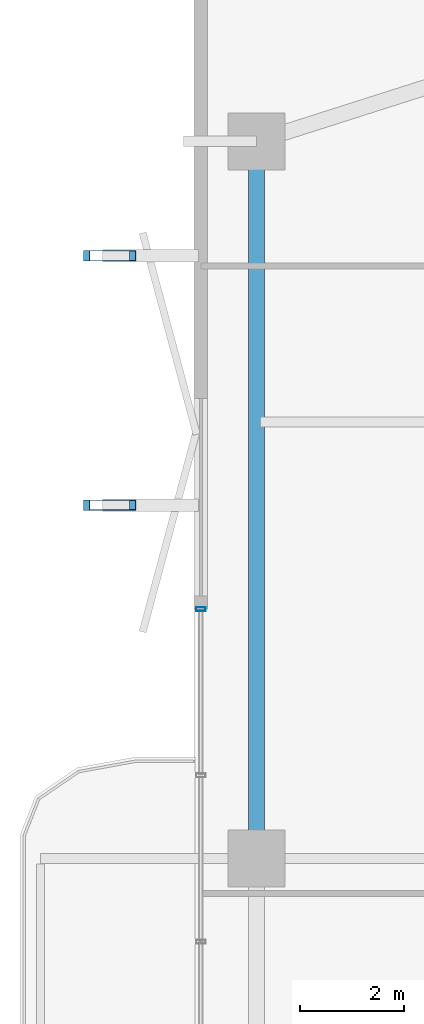
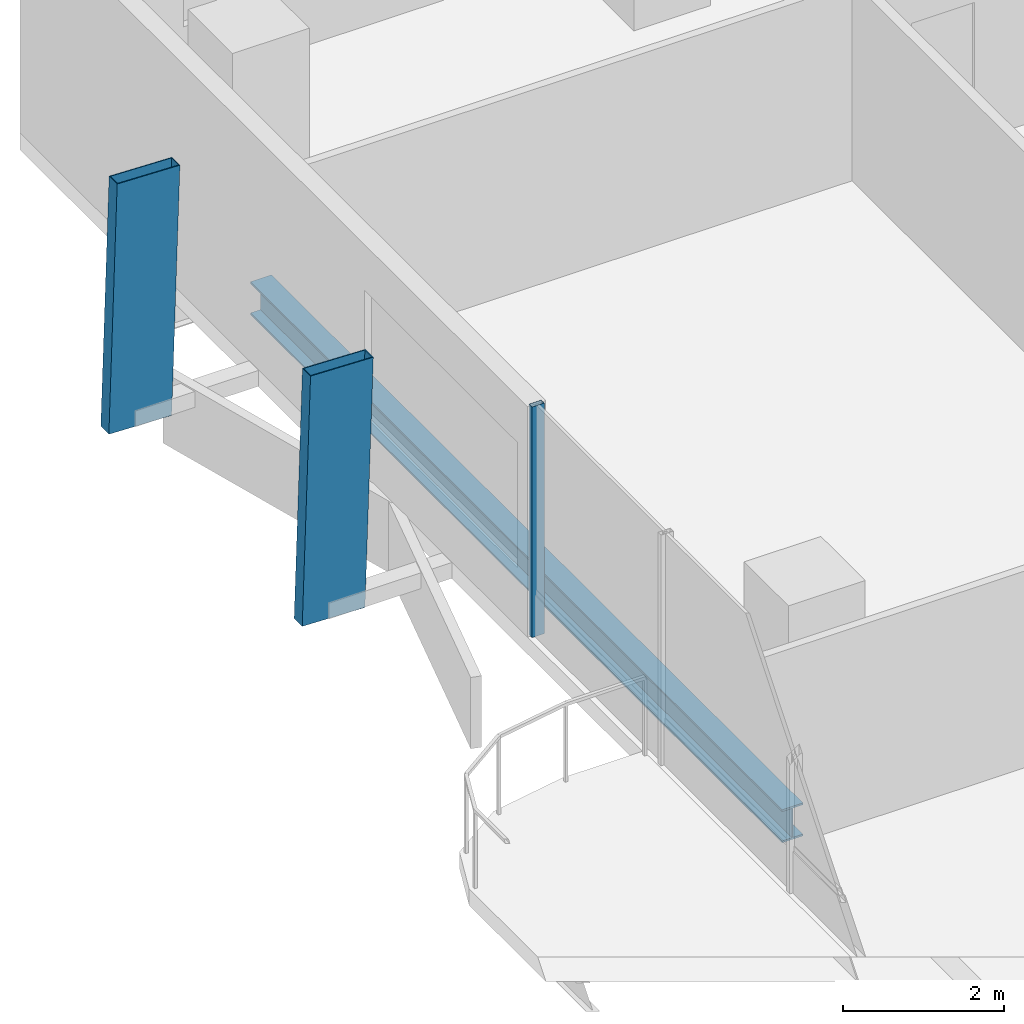
# One storey, part 11 of 24: 3 members, 1 beam, 1 element without a shape of its own.
"""IFC4 building model written with IfcOpenShell, lengths in metres."""

from ifc_helpers import new_model, si_unit, direction, frame, origin, origin_2d, place, context, subcontext, project, spatial, hollow_rectangle, i_section, extrude, material, layer, layer_set, material_profile, profile_set, type_object, element, aggregate, save


model = new_model("IFC4")

# Units and contexts
model_context = context("Model", 3, precision=1e-05, world=origin(), true_north=direction((0.0, 1.0)))
body_context = subcontext(model_context, "Body", "Model", "MODEL_VIEW")
ifc_project = project(units=[si_unit("LENGTHUNIT", "METRE"), si_unit("AREAUNIT", "SQUARE_METRE"), si_unit("VOLUMEUNIT", "CUBIC_METRE"), si_unit("PLANEANGLEUNIT", "RADIAN"), si_unit("MASSUNIT", "GRAM", prefix="KILO")], contexts=[model_context])

# Site, building, storey
site_placement = place(None, origin())
site = spatial("IfcSite", under=ifc_project, at=site_placement, CompositionType="ELEMENT")
building_placement = place(site_placement, origin())
building = spatial("IfcBuilding", under=site, at=building_placement, Name="Belovzor Exchange Tower", CompositionType="ELEMENT")
storey_placement = place(building_placement, frame((0.0, 0.0, 145.800048828125)))
storey = spatial("IfcBuildingStorey", under=building, at=storey_placement, Name="L35", CompositionType="ELEMENT", Elevation=145.800048828125)

# Members
ifc_material_1 = material(Name="Extruded Architectural Terracotta on Steel S355 Carrier", Category="masonry")
ifc_material_profile_1 = material_profile(ifc_material_1, hollow_rectangle(XDim=0.199951171875, YDim=0.89990234375, WallThickness=0.011962890625, at=origin_2d()))
ifc_profile_set_1 = profile_set([ifc_material_profile_1], Name="Extruded Architectural Terracotta on Steel S355 Carrier")
member_type_1 = type_object("IfcMemberType", Name="Sweeping Terracotta Baguette Fin Assembly 1250", PredefinedType="USERDEFINED", material=ifc_profile_set_1)
for number, where, z_axis, x_axis, name in (
    (1, (2.81689453125, 35.60009765625, -0.255126953125), (0.031754810947, 0.0, 0.999495688826), (0.0, 1.0, 0.0), "FIN-TC125 Terracotta Facade Fin L35 W3"),
    (2, (2.81689453125, 40.39990234375, -0.255126953125), (0.031754810947, 0.0, 0.999495688826), (0.0, 1.0, 0.0), "FIN-TC125 Terracotta Facade Fin L35 W4"),
):
    element("IfcMember", number, at=place(storey_placement, frame(where, z_axis=z_axis, x_axis=x_axis)), inside=storey, type_object=member_type_1, Name=name, ObjectType="FIN", PredefinedType="USERDEFINED", context=body_context, shape_type="SweptSolid", body=[
        extrude(hollow_rectangle(XDim=0.199951171875, YDim=0.89990234375, WallThickness=0.011962890625, at=origin_2d()), origin(), (0.0, 0.0, 1.0), 3.751953125),
    ])

# Curtain wall, member
ifc_material_2 = material(Name="Anodised Aluminium Framing", Category="aluminium")
ifc_layer = layer(ifc_material_2, 0.179931640625)
ifc_layer_set = layer_set([ifc_layer], Name="Anodised Aluminium Framing")
curtain_wall_type = type_object("IfcCurtainWallType", Name="Recessed Loggia Low-Iron Triple-Glazed Curtain Wall", PredefinedType="NOTDEFINED", material=ifc_layer_set)
curtain_wall_placement = place(storey_placement, origin())
curtain_wall = element("IfcCurtainWall", 3, at=curtain_wall_placement, inside=storey, type_object=curtain_wall_type, Name="CW3 Recessed Loggia Low-Iron Triple-Glazed Curtain Wall L35", PredefinedType="NOTDEFINED")
ifc_material_3 = material(Name="Steel S355", Category="steel")
ifc_material_profile_2 = material_profile(ifc_material_3, hollow_rectangle(XDim=0.074951171875, YDim=0.179931640625, WallThickness=0.0048828125, at=origin_2d()))
ifc_profile_set_2 = profile_set([ifc_material_profile_2], Name="Steel S355")
member_type_2 = type_object("IfcMemberType", Name="Thermally Broken Curtain Wall Mullion 180x75", PredefinedType="MULLION", material=ifc_profile_set_2)
member_placement = place(storey_placement, frame((4.6298828125, 33.60009765625, 0.0), z_axis=(0.0, 0.0, 1.0), x_axis=(0.0, 1.0, 0.0)))
member = element("IfcMember", 4, at=member_placement, type_object=member_type_2, Name="CW-M180 Curtain Wall Mullion 4", PredefinedType="MULLION", context=body_context, shape_type="SweptSolid", body=[
    extrude(hollow_rectangle(XDim=0.074951171875, YDim=0.179931640625, WallThickness=0.0048828125, at=origin_2d()), origin(), (0.0, 0.0, 1.0), 3.494873046875),
])
aggregate(curtain_wall, [member])

# Beam
ifc_material_4 = material(Name="Steel S355", Category="steel")
ifc_material_profile_3 = material_profile(ifc_material_4, i_section(OverallWidth=0.300048828125, OverallDepth=0.5, WebThickness=0.014404296875, FlangeThickness=0.028076171875, at=origin_2d()))
ifc_profile_set_3 = profile_set([ifc_material_profile_3], Name="Steel S355")
beam_type = type_object("IfcBeamType", Name="Zone 3 Waist Primary Girder HEB 500", PredefinedType="BEAM", material=ifc_profile_set_3)
beam_placement = place(storey_placement, frame((5.699951171875, 42.297119140625, -0.505126953125), z_axis=(0.0, -1.0, 0.0), x_axis=(1.0, 0.0, 0.0)))
element("IfcBeam", 5, at=beam_placement, inside=storey, type_object=beam_type, Name="FG-Z3 Zone 3 Waist Primary Girder HEB 500", PredefinedType="BEAM", context=body_context, shape_type="SweptSolid", body=[
    extrude(i_section(OverallWidth=0.300048828125, OverallDepth=0.5, WebThickness=0.014404296875, FlangeThickness=0.028076171875, at=origin_2d()), origin(), (0.0, 0.0, 1.0), 13.195068359375),
])

save(model, "model.ifc")
